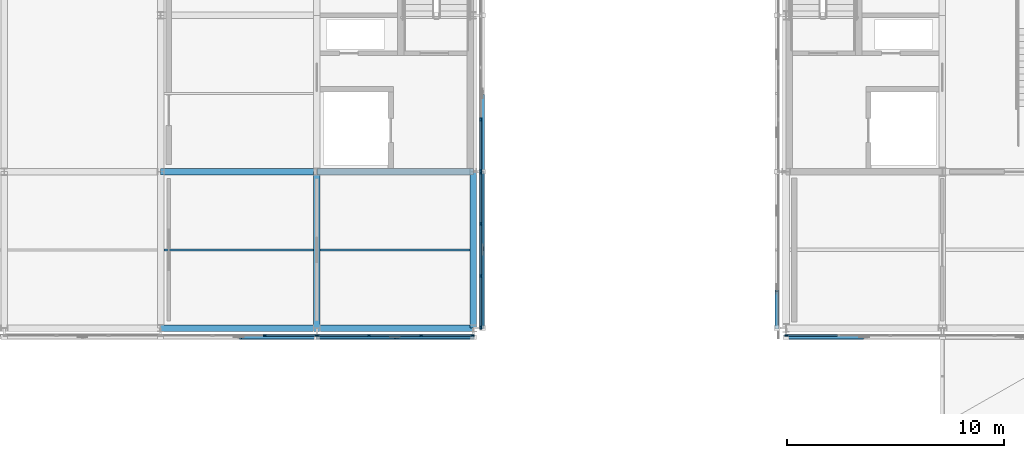
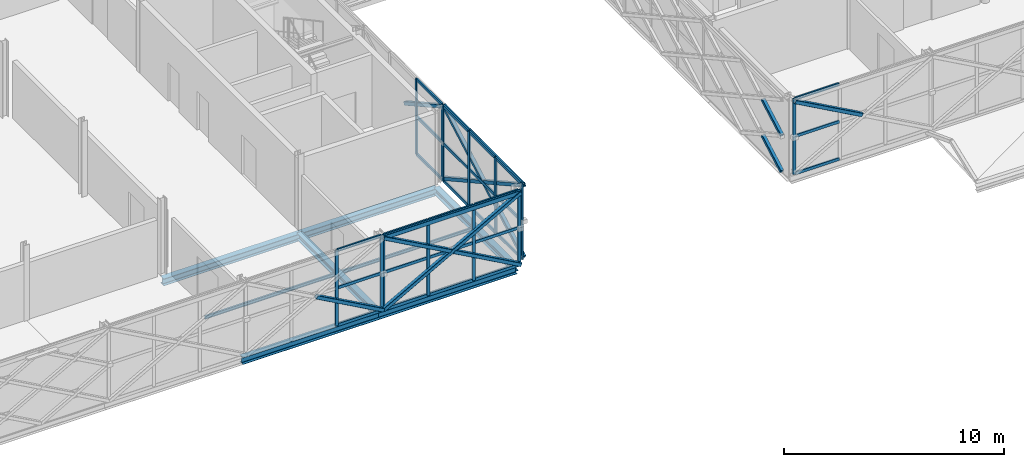
# One storey, part 28 of 146: 53 members, 8 beams, 5 elements without a shape of their own.
"""IFC4 building model written with IfcOpenShell, lengths in metres."""

from ifc_helpers import new_model, si_unit, direction, frame, origin, origin_2d, place, context, subcontext, project, spatial, rectangle, hollow_rectangle, i_section, extrude, material, material_profile, profile_set, type_object, element, aggregate, save


model = new_model("IFC4")

# Units and contexts
model_context = context("Model", 3, precision=1e-05, world=origin(), true_north=direction((0.0, 1.0)))
body_context = subcontext(model_context, "Body", "Model", "MODEL_VIEW")
ifc_project = project(units=[si_unit("LENGTHUNIT", "METRE"), si_unit("AREAUNIT", "SQUARE_METRE"), si_unit("VOLUMEUNIT", "CUBIC_METRE"), si_unit("PLANEANGLEUNIT", "RADIAN"), si_unit("MASSUNIT", "GRAM", prefix="KILO")], contexts=[model_context])

# Site, building, storey
site_placement = place(None, origin())
site = spatial("IfcSite", under=ifc_project, at=site_placement, CompositionType="ELEMENT")
building_placement = place(site_placement, origin())
building = spatial("IfcBuilding", under=site, at=building_placement, Name="Zlatovets Crest Museum", CompositionType="ELEMENT")
storey_placement = place(building_placement, frame((0.0, 0.0, 4.5)))
storey = spatial("IfcBuildingStorey", under=building, at=storey_placement, Name="L01", CompositionType="ELEMENT", Elevation=4.5)

# Beams
ifc_material_1 = material(Name="Structural steel S355J2", Category="steel")
ifc_material_profile_1 = material_profile(ifc_material_1, i_section(OverallWidth=0.300048828125, OverallDepth=0.389892578125, WebThickness=0.010986328125, FlangeThickness=0.01904296875, FilletRadius=0.027099609375, at=origin_2d()), Name="HEA 400")
ifc_profile_set_1 = profile_set([ifc_material_profile_1], Name="Structural steel S355J2")
beam_type_1 = type_object("IfcBeamType", Name="Beam_B-02", PredefinedType="BEAM", material=ifc_profile_set_1)
for number, where, z_axis, x_axis, name in (
    (1, (28.800048828125, 0.0, -0.4150390625), (1.0, 0.0, 0.0), (0.0, 1.0, 0.0), "V3 L01 Primary Girder B-02"),
    (2, (36.0, 0.0, -0.4150390625), (1.0, 0.0, 0.0), (0.0, 1.0, 0.0), "V3 L01 Primary Girder B-02"),
    (3, (28.800048828125, 7.199951171875, -0.4150390625), (1.0, 0.0, 0.0), (0.0, 1.0, 0.0), "V3 L01 Primary Girder B-02"),
    (4, (36.0, 7.199951171875, -0.4150390625), (1.0, 0.0, 0.0), (0.0, 1.0, 0.0), "V3 L01 Primary Girder B-02"),
):
    element("IfcBeam", number, at=place(storey_placement, frame(where, z_axis=z_axis, x_axis=x_axis)), inside=storey, type_object=beam_type_1, Name=name, PredefinedType="BEAM", context=body_context, shape_type="SweptSolid", body=[
        extrude(i_section(OverallWidth=0.300048828125, OverallDepth=0.389892578125, WebThickness=0.010986328125, FlangeThickness=0.01904296875, FilletRadius=0.027099609375, at=origin_2d()), origin(), (0.0, 0.0, 1.0), 7.199951171875),
    ])
ifc_material_profile_2 = material_profile(ifc_material_1, i_section(OverallWidth=0.300048828125, OverallDepth=0.35009765625, WebThickness=0.010009765625, FlangeThickness=0.017578125, FilletRadius=0.027099609375, at=origin_2d()), Name="HEA 360")
ifc_profile_set_2 = profile_set([ifc_material_profile_2], Name="Structural steel S355J2")
beam_type_2 = type_object("IfcBeamType", Name="Beam_B-03", PredefinedType="BEAM", material=ifc_profile_set_2)
for number, where, z_axis, x_axis, name in (
    (5, (36.0, 0.0, -0.39501953125), (0.0, 1.0, 0.0), (-1.0, 0.0, 0.0), "V3 L01 Grid Beam B-03"),
    (6, (43.199951171875, 0.0, -0.39501953125), (0.0, 1.0, 0.0), (-1.0, 0.0, 0.0), "V3 L01 Grid Beam B-03"),
):
    element("IfcBeam", number, at=place(storey_placement, frame(where, z_axis=z_axis, x_axis=x_axis)), inside=storey, type_object=beam_type_2, Name=name, PredefinedType="BEAM", context=body_context, shape_type="SweptSolid", body=[
        extrude(i_section(OverallWidth=0.300048828125, OverallDepth=0.35009765625, WebThickness=0.010009765625, FlangeThickness=0.017578125, FilletRadius=0.027099609375, at=origin_2d()), origin(), (0.0, 0.0, 1.0), 7.199951171875),
    ])
ifc_material_profile_3 = material_profile(ifc_material_1, i_section(OverallWidth=0.091064453125, OverallDepth=0.179931640625, WebThickness=0.00537109375, FlangeThickness=0.008056640625, FilletRadius=0.009033203125, at=origin_2d()), Name="IPE 180")
ifc_profile_set_3 = profile_set([ifc_material_profile_3], Name="Structural steel S355J2")
beam_type_3 = type_object("IfcBeamType", Name="Beam_J-11", PredefinedType="JOIST", material=ifc_profile_set_3)
for number, where, z_axis, x_axis, name in (
    (7, (28.949951171875, 3.60009765625, -0.31005859375), (1.0, 0.0, 0.0), (0.0, 1.0, 0.0), "V3 L01 Composite Joist J-11"),
    (8, (36.14990234375, 3.60009765625, -0.31005859375), (1.0, 0.0, 0.0), (0.0, 1.0, 0.0), "V3 L01 Composite Joist J-11"),
):
    element("IfcBeam", number, at=place(storey_placement, frame(where, z_axis=z_axis, x_axis=x_axis)), inside=storey, type_object=beam_type_3, Name=name, PredefinedType="JOIST", context=body_context, shape_type="SweptSolid", body=[
        extrude(i_section(OverallWidth=0.091064453125, OverallDepth=0.179931640625, WebThickness=0.00537109375, FlangeThickness=0.008056640625, FilletRadius=0.009033203125, at=origin_2d()), origin(), (0.0, 0.0, 1.0), 6.900146484375),
    ])

# Curtain wall, member
ifc_material_2 = material(Name="Bronze-anodised aluminium and low-E triple glass", Category="aluminium")
curtain_wall_type_1 = type_object("IfcCurtainWallType", Name="CW_CW-V2-L01-M0", PredefinedType="NOTDEFINED", material=ifc_material_2)
curtain_wall_1_placement = place(storey_placement, origin())
curtain_wall_1 = element("IfcCurtainWall", 9, at=curtain_wall_1_placement, inside=storey, type_object=curtain_wall_type_1, Name="V2 L01 Secession Foyer Clear Curtain Wall", PredefinedType="NOTDEFINED")
ifc_material_3 = material(Name="Bronze-anodised aluminium EN AW-6060", Category="aluminium")
ifc_material_profile_4 = material_profile(ifc_material_3, rectangle(XDim=0.080078125, YDim=0.159912109375, at=origin_2d()), Name="ALU 80x160")
ifc_profile_set_4 = profile_set([ifc_material_profile_4], Name="Bronze-anodised aluminium EN AW-6060")
member_type_1 = type_object("IfcMemberType", Name="CWMull_M1", PredefinedType="MULLION", material=ifc_profile_set_4)
member_1_placement = place(storey_placement, frame((57.6298828125, -0.340087890625, 0.0), z_axis=(0.0, 0.0, 1.0), x_axis=(0.0, 1.0, 0.0)))
member_1 = element("IfcMember", 10, at=member_1_placement, type_object=member_type_1, Name="CW-V2-L01-M0 mullion 1", PredefinedType="MULLION", context=body_context, shape_type="SweptSolid", body=[
    extrude(rectangle(XDim=0.080078125, YDim=0.159912109375, at=origin_2d()), origin(), (0.0, 0.0, 1.0), 4.199951171875),
])

# Curtain wall, members
curtain_wall_type_2 = type_object("IfcCurtainWallType", Name="CW_CW-V3-L01-M0", PredefinedType="NOTDEFINED", material=ifc_material_2)
curtain_wall_2_placement = place(storey_placement, origin())
curtain_wall_2 = element("IfcCurtainWall", 11, at=curtain_wall_2_placement, inside=storey, type_object=curtain_wall_type_2, Name="V3 L01 Secession Foyer Clear Curtain Wall", PredefinedType="NOTDEFINED")
member_2_placement = place(storey_placement, frame((33.60009765625, -0.340087890625, 0.0), z_axis=(0.0, 0.0, 1.0), x_axis=(0.0, 1.0, 0.0)))
member_2 = element("IfcMember", 12, at=member_2_placement, type_object=member_type_1, Name="CW-V3-L01-M0 mullion 3", PredefinedType="MULLION", context=body_context, shape_type="SweptSolid", body=[
    extrude(rectangle(XDim=0.080078125, YDim=0.159912109375, at=origin_2d()), origin(), (0.0, 0.0, 1.0), 4.199951171875),
])
member_3_placement = place(storey_placement, frame((35.969970703125, -0.340087890625, 0.0), z_axis=(0.0, 0.0, 1.0), x_axis=(0.0, 1.0, 0.0)))
member_3 = element("IfcMember", 13, at=member_3_placement, type_object=member_type_1, Name="CW-V3-L01-M0 mullion 4", PredefinedType="MULLION", context=body_context, shape_type="SweptSolid", body=[
    extrude(rectangle(XDim=0.080078125, YDim=0.159912109375, at=origin_2d()), origin(), (0.0, 0.0, 1.0), 4.199951171875),
])

curtain_wall_type_3 = type_object("IfcCurtainWallType", Name="CW_CW-V3-L01-M1", PredefinedType="NOTDEFINED", material=ifc_material_2)
curtain_wall_3_placement = place(storey_placement, origin())
curtain_wall_3 = element("IfcCurtainWall", 14, at=curtain_wall_3_placement, inside=storey, type_object=curtain_wall_type_3, Name="V3 L01 Secession Foyer Clear Curtain Wall", PredefinedType="NOTDEFINED")
member_4_placement = place(storey_placement, frame((36.030029296875, -0.340087890625, 0.0), z_axis=(0.0, 0.0, 1.0), x_axis=(0.0, 1.0, 0.0)))
member_4 = element("IfcMember", 15, at=member_4_placement, type_object=member_type_1, Name="CW-V3-L01-M1 mullion 1", PredefinedType="MULLION", context=body_context, shape_type="SweptSolid", body=[
    extrude(rectangle(XDim=0.080078125, YDim=0.159912109375, at=origin_2d()), origin(), (0.0, 0.0, 1.0), 4.199951171875),
])
member_5_placement = place(storey_placement, frame((38.39990234375, -0.340087890625, 0.0), z_axis=(0.0, 0.0, 1.0), x_axis=(0.0, 1.0, 0.0)))
member_5 = element("IfcMember", 16, at=member_5_placement, type_object=member_type_1, Name="CW-V3-L01-M1 mullion 2", PredefinedType="MULLION", context=body_context, shape_type="SweptSolid", body=[
    extrude(rectangle(XDim=0.080078125, YDim=0.159912109375, at=origin_2d()), origin(), (0.0, 0.0, 1.0), 4.199951171875),
])
member_6_placement = place(storey_placement, frame((40.800048828125, -0.340087890625, 0.0), z_axis=(0.0, 0.0, 1.0), x_axis=(0.0, 1.0, 0.0)))
member_6 = element("IfcMember", 17, at=member_6_placement, type_object=member_type_1, Name="CW-V3-L01-M1 mullion 3", PredefinedType="MULLION", context=body_context, shape_type="SweptSolid", body=[
    extrude(rectangle(XDim=0.080078125, YDim=0.159912109375, at=origin_2d()), origin(), (0.0, 0.0, 1.0), 4.199951171875),
])
member_7_placement = place(storey_placement, frame((43.169921875, -0.340087890625, 0.0), z_axis=(0.0, 0.0, 1.0), x_axis=(0.0, 1.0, 0.0)))
member_7 = element("IfcMember", 18, at=member_7_placement, type_object=member_type_1, Name="CW-V3-L01-M1 mullion 4", PredefinedType="MULLION", context=body_context, shape_type="SweptSolid", body=[
    extrude(rectangle(XDim=0.080078125, YDim=0.159912109375, at=origin_2d()), origin(), (0.0, 0.0, 1.0), 4.199951171875),
])

curtain_wall_type_4 = type_object("IfcCurtainWallType", Name="CW_CW-V3-L01-M2", PredefinedType="NOTDEFINED", material=ifc_material_2)
curtain_wall_4_placement = place(storey_placement, origin())
curtain_wall_4 = element("IfcCurtainWall", 19, at=curtain_wall_4_placement, inside=storey, type_object=curtain_wall_type_4, Name="V3 L01 Secession Foyer Clear Curtain Wall", PredefinedType="NOTDEFINED")
member_8_placement = place(storey_placement, frame((43.5400390625, 0.030029296875, 0.0), z_axis=(0.0, 0.0, 1.0), x_axis=(-1.0, 0.0, 0.0)))
member_8 = element("IfcMember", 20, at=member_8_placement, type_object=member_type_1, Name="CW-V3-L01-M2 mullion 1", PredefinedType="MULLION", context=body_context, shape_type="SweptSolid", body=[
    extrude(rectangle(XDim=0.080078125, YDim=0.159912109375, at=origin_2d()), origin(), (0.0, 0.0, 1.0), 4.199951171875),
])
member_9_placement = place(storey_placement, frame((43.5400390625, 2.39990234375, 0.0), z_axis=(0.0, 0.0, 1.0), x_axis=(-1.0, 0.0, 0.0)))
member_9 = element("IfcMember", 21, at=member_9_placement, type_object=member_type_1, Name="CW-V3-L01-M2 mullion 2", PredefinedType="MULLION", context=body_context, shape_type="SweptSolid", body=[
    extrude(rectangle(XDim=0.080078125, YDim=0.159912109375, at=origin_2d()), origin(), (0.0, 0.0, 1.0), 4.199951171875),
])
member_10_placement = place(storey_placement, frame((43.5400390625, 4.800048828125, 0.0), z_axis=(0.0, 0.0, 1.0), x_axis=(-1.0, 0.0, 0.0)))
member_10 = element("IfcMember", 22, at=member_10_placement, type_object=member_type_1, Name="CW-V3-L01-M2 mullion 3", PredefinedType="MULLION", context=body_context, shape_type="SweptSolid", body=[
    extrude(rectangle(XDim=0.080078125, YDim=0.159912109375, at=origin_2d()), origin(), (0.0, 0.0, 1.0), 4.199951171875),
])
member_11_placement = place(storey_placement, frame((43.5400390625, 7.169921875, 0.0), z_axis=(0.0, 0.0, 1.0), x_axis=(-1.0, 0.0, 0.0)))
member_11 = element("IfcMember", 23, at=member_11_placement, type_object=member_type_1, Name="CW-V3-L01-M2 mullion 4", PredefinedType="MULLION", context=body_context, shape_type="SweptSolid", body=[
    extrude(rectangle(XDim=0.080078125, YDim=0.159912109375, at=origin_2d()), origin(), (0.0, 0.0, 1.0), 4.199951171875),
])

curtain_wall_type_5 = type_object("IfcCurtainWallType", Name="CW_CW-V3-L01-M3", PredefinedType="NOTDEFINED", material=ifc_material_2)
curtain_wall_5_placement = place(storey_placement, origin())
curtain_wall_5 = element("IfcCurtainWall", 24, at=curtain_wall_5_placement, inside=storey, type_object=curtain_wall_type_5, Name="V3 L01 Expressed Core Glazed Facade", PredefinedType="NOTDEFINED")
member_12_placement = place(storey_placement, frame((43.5400390625, 7.22998046875, 0.0), z_axis=(0.0, 0.0, 1.0), x_axis=(-1.0, 0.0, 0.0)))
member_12 = element("IfcMember", 25, at=member_12_placement, type_object=member_type_1, Name="CW-V3-L01-M3 mullion 1", PredefinedType="MULLION", context=body_context, shape_type="SweptSolid", body=[
    extrude(rectangle(XDim=0.080078125, YDim=0.159912109375, at=origin_2d()), origin(), (0.0, 0.0, 1.0), 4.199951171875),
])
member_13_placement = place(storey_placement, frame((43.5400390625, 9.60009765625, 0.0), z_axis=(0.0, 0.0, 1.0), x_axis=(-1.0, 0.0, 0.0)))
member_13 = element("IfcMember", 26, at=member_13_placement, type_object=member_type_1, Name="CW-V3-L01-M3 mullion 2", PredefinedType="MULLION", context=body_context, shape_type="SweptSolid", body=[
    extrude(rectangle(XDim=0.080078125, YDim=0.159912109375, at=origin_2d()), origin(), (0.0, 0.0, 1.0), 4.199951171875),
])

# Member
ifc_material_profile_5 = material_profile(ifc_material_3, rectangle(XDim=0.080078125, YDim=0.159912109375, at=origin_2d()), Name="ALU 80x160")
ifc_profile_set_5 = profile_set([ifc_material_profile_5], Name="Bronze-anodised aluminium EN AW-6060")
member_type_2 = type_object("IfcMemberType", Name="CWTrans_T1", PredefinedType="USERDEFINED", material=ifc_profile_set_5)
member_14_placement = place(storey_placement, frame((57.659912109375, -0.340087890625, 0.030029296875), z_axis=(1.0, 0.0, 0.0), x_axis=(0.0, 1.0, 0.0)))
member_14 = element("IfcMember", 27, at=member_14_placement, type_object=member_type_2, Name="CW-V2-L01-M0 transom 1.1", ObjectType="TRANSOM", PredefinedType="USERDEFINED", context=body_context, shape_type="SweptSolid", body=[
    extrude(rectangle(XDim=0.080078125, YDim=0.159912109375, at=origin_2d()), origin(), (0.0, 0.0, 1.0), 2.31005859375),
])

member_15_placement = place(storey_placement, frame((57.659912109375, -0.340087890625, 2.10009765625), z_axis=(1.0, 0.0, 0.0), x_axis=(0.0, 1.0, 0.0)))
member_15 = element("IfcMember", 28, at=member_15_placement, type_object=member_type_2, Name="CW-V2-L01-M0 transom 1.2", ObjectType="TRANSOM", PredefinedType="USERDEFINED", context=body_context, shape_type="SweptSolid", body=[
    extrude(rectangle(XDim=0.080078125, YDim=0.159912109375, at=origin_2d()), origin(), (0.0, 0.0, 1.0), 2.31005859375),
])

member_16_placement = place(storey_placement, frame((57.659912109375, -0.340087890625, 4.169921875), z_axis=(1.0, 0.0, 0.0), x_axis=(0.0, 1.0, 0.0)))
member_16 = element("IfcMember", 29, at=member_16_placement, type_object=member_type_2, Name="CW-V2-L01-M0 transom 1.3", ObjectType="TRANSOM", PredefinedType="USERDEFINED", context=body_context, shape_type="SweptSolid", body=[
    extrude(rectangle(XDim=0.080078125, YDim=0.159912109375, at=origin_2d()), origin(), (0.0, 0.0, 1.0), 2.31005859375),
])

aggregate(curtain_wall_1, [member_1, member_14, member_15, member_16])

member_17_placement = place(storey_placement, frame((33.6298828125, -0.340087890625, 0.030029296875), z_axis=(1.0, 0.0, 0.0), x_axis=(0.0, 1.0, 0.0)))
member_17 = element("IfcMember", 30, at=member_17_placement, type_object=member_type_2, Name="CW-V3-L01-M0 transom 3.1", ObjectType="TRANSOM", PredefinedType="USERDEFINED", context=body_context, shape_type="SweptSolid", body=[
    extrude(rectangle(XDim=0.080078125, YDim=0.159912109375, at=origin_2d()), origin(), (0.0, 0.0, 1.0), 2.31005859375),
])

member_18_placement = place(storey_placement, frame((33.6298828125, -0.340087890625, 2.10009765625), z_axis=(1.0, 0.0, 0.0), x_axis=(0.0, 1.0, 0.0)))
member_18 = element("IfcMember", 31, at=member_18_placement, type_object=member_type_2, Name="CW-V3-L01-M0 transom 3.2", ObjectType="TRANSOM", PredefinedType="USERDEFINED", context=body_context, shape_type="SweptSolid", body=[
    extrude(rectangle(XDim=0.080078125, YDim=0.159912109375, at=origin_2d()), origin(), (0.0, 0.0, 1.0), 2.31005859375),
])

member_19_placement = place(storey_placement, frame((33.6298828125, -0.340087890625, 4.169921875), z_axis=(1.0, 0.0, 0.0), x_axis=(0.0, 1.0, 0.0)))
member_19 = element("IfcMember", 32, at=member_19_placement, type_object=member_type_2, Name="CW-V3-L01-M0 transom 3.3", ObjectType="TRANSOM", PredefinedType="USERDEFINED", context=body_context, shape_type="SweptSolid", body=[
    extrude(rectangle(XDim=0.080078125, YDim=0.159912109375, at=origin_2d()), origin(), (0.0, 0.0, 1.0), 2.31005859375),
])

aggregate(curtain_wall_2, [member_2, member_3, member_17, member_18, member_19])

member_20_placement = place(storey_placement, frame((36.06005859375, -0.340087890625, 0.030029296875), z_axis=(1.0, 0.0, 0.0), x_axis=(0.0, 1.0, 0.0)))
member_20 = element("IfcMember", 33, at=member_20_placement, type_object=member_type_2, Name="CW-V3-L01-M1 transom 1.1", ObjectType="TRANSOM", PredefinedType="USERDEFINED", context=body_context, shape_type="SweptSolid", body=[
    extrude(rectangle(XDim=0.080078125, YDim=0.159912109375, at=origin_2d()), origin(), (0.0, 0.0, 1.0), 2.31005859375),
])

member_21_placement = place(storey_placement, frame((36.06005859375, -0.340087890625, 2.10009765625), z_axis=(1.0, 0.0, 0.0), x_axis=(0.0, 1.0, 0.0)))
member_21 = element("IfcMember", 34, at=member_21_placement, type_object=member_type_2, Name="CW-V3-L01-M1 transom 1.2", ObjectType="TRANSOM", PredefinedType="USERDEFINED", context=body_context, shape_type="SweptSolid", body=[
    extrude(rectangle(XDim=0.080078125, YDim=0.159912109375, at=origin_2d()), origin(), (0.0, 0.0, 1.0), 2.31005859375),
])

member_22_placement = place(storey_placement, frame((36.06005859375, -0.340087890625, 4.169921875), z_axis=(1.0, 0.0, 0.0), x_axis=(0.0, 1.0, 0.0)))
member_22 = element("IfcMember", 35, at=member_22_placement, type_object=member_type_2, Name="CW-V3-L01-M1 transom 1.3", ObjectType="TRANSOM", PredefinedType="USERDEFINED", context=body_context, shape_type="SweptSolid", body=[
    extrude(rectangle(XDim=0.080078125, YDim=0.159912109375, at=origin_2d()), origin(), (0.0, 0.0, 1.0), 2.31005859375),
])

member_23_placement = place(storey_placement, frame((38.429931640625, -0.340087890625, 0.030029296875), z_axis=(1.0, 0.0, 0.0), x_axis=(0.0, 1.0, 0.0)))
member_23 = element("IfcMember", 36, at=member_23_placement, type_object=member_type_2, Name="CW-V3-L01-M1 transom 2.1", ObjectType="TRANSOM", PredefinedType="USERDEFINED", context=body_context, shape_type="SweptSolid", body=[
    extrude(rectangle(XDim=0.080078125, YDim=0.159912109375, at=origin_2d()), origin(), (0.0, 0.0, 1.0), 2.340087890625),
])

member_24_placement = place(storey_placement, frame((38.429931640625, -0.340087890625, 2.10009765625), z_axis=(1.0, 0.0, 0.0), x_axis=(0.0, 1.0, 0.0)))
member_24 = element("IfcMember", 37, at=member_24_placement, type_object=member_type_2, Name="CW-V3-L01-M1 transom 2.2", ObjectType="TRANSOM", PredefinedType="USERDEFINED", context=body_context, shape_type="SweptSolid", body=[
    extrude(rectangle(XDim=0.080078125, YDim=0.159912109375, at=origin_2d()), origin(), (0.0, 0.0, 1.0), 2.340087890625),
])

member_25_placement = place(storey_placement, frame((38.429931640625, -0.340087890625, 4.169921875), z_axis=(1.0, 0.0, 0.0), x_axis=(0.0, 1.0, 0.0)))
member_25 = element("IfcMember", 38, at=member_25_placement, type_object=member_type_2, Name="CW-V3-L01-M1 transom 2.3", ObjectType="TRANSOM", PredefinedType="USERDEFINED", context=body_context, shape_type="SweptSolid", body=[
    extrude(rectangle(XDim=0.080078125, YDim=0.159912109375, at=origin_2d()), origin(), (0.0, 0.0, 1.0), 2.340087890625),
])

member_26_placement = place(storey_placement, frame((40.830078125, -0.340087890625, 0.030029296875), z_axis=(1.0, 0.0, 0.0), x_axis=(0.0, 1.0, 0.0)))
member_26 = element("IfcMember", 39, at=member_26_placement, type_object=member_type_2, Name="CW-V3-L01-M1 transom 3.1", ObjectType="TRANSOM", PredefinedType="USERDEFINED", context=body_context, shape_type="SweptSolid", body=[
    extrude(rectangle(XDim=0.080078125, YDim=0.159912109375, at=origin_2d()), origin(), (0.0, 0.0, 1.0), 2.309814453125),
])

member_27_placement = place(storey_placement, frame((40.830078125, -0.340087890625, 2.10009765625), z_axis=(1.0, 0.0, 0.0), x_axis=(0.0, 1.0, 0.0)))
member_27 = element("IfcMember", 40, at=member_27_placement, type_object=member_type_2, Name="CW-V3-L01-M1 transom 3.2", ObjectType="TRANSOM", PredefinedType="USERDEFINED", context=body_context, shape_type="SweptSolid", body=[
    extrude(rectangle(XDim=0.080078125, YDim=0.159912109375, at=origin_2d()), origin(), (0.0, 0.0, 1.0), 2.309814453125),
])

member_28_placement = place(storey_placement, frame((40.830078125, -0.340087890625, 4.169921875), z_axis=(1.0, 0.0, 0.0), x_axis=(0.0, 1.0, 0.0)))
member_28 = element("IfcMember", 41, at=member_28_placement, type_object=member_type_2, Name="CW-V3-L01-M1 transom 3.3", ObjectType="TRANSOM", PredefinedType="USERDEFINED", context=body_context, shape_type="SweptSolid", body=[
    extrude(rectangle(XDim=0.080078125, YDim=0.159912109375, at=origin_2d()), origin(), (0.0, 0.0, 1.0), 2.309814453125),
])

aggregate(curtain_wall_3, [member_4, member_5, member_6, member_7, member_20, member_21, member_22, member_23, member_24, member_25, member_26, member_27, member_28])

member_29_placement = place(storey_placement, frame((43.5400390625, 0.06005859375, 0.030029296875), z_axis=(0.0, 1.0, 0.0), x_axis=(-1.0, 0.0, 0.0)))
member_29 = element("IfcMember", 42, at=member_29_placement, type_object=member_type_2, Name="CW-V3-L01-M2 transom 1.1", ObjectType="TRANSOM", PredefinedType="USERDEFINED", context=body_context, shape_type="SweptSolid", body=[
    extrude(rectangle(XDim=0.080078125, YDim=0.159912109375, at=origin_2d()), origin(), (0.0, 0.0, 1.0), 2.31005859375),
])

member_30_placement = place(storey_placement, frame((43.5400390625, 0.06005859375, 2.10009765625), z_axis=(0.0, 1.0, 0.0), x_axis=(-1.0, 0.0, 0.0)))
member_30 = element("IfcMember", 43, at=member_30_placement, type_object=member_type_2, Name="CW-V3-L01-M2 transom 1.2", ObjectType="TRANSOM", PredefinedType="USERDEFINED", context=body_context, shape_type="SweptSolid", body=[
    extrude(rectangle(XDim=0.080078125, YDim=0.159912109375, at=origin_2d()), origin(), (0.0, 0.0, 1.0), 2.31005859375),
])

member_31_placement = place(storey_placement, frame((43.5400390625, 0.06005859375, 4.169921875), z_axis=(0.0, 1.0, 0.0), x_axis=(-1.0, 0.0, 0.0)))
member_31 = element("IfcMember", 44, at=member_31_placement, type_object=member_type_2, Name="CW-V3-L01-M2 transom 1.3", ObjectType="TRANSOM", PredefinedType="USERDEFINED", context=body_context, shape_type="SweptSolid", body=[
    extrude(rectangle(XDim=0.080078125, YDim=0.159912109375, at=origin_2d()), origin(), (0.0, 0.0, 1.0), 2.31005859375),
])

member_32_placement = place(storey_placement, frame((43.5400390625, 2.429931640625, 0.030029296875), z_axis=(0.0, 1.0, 0.0), x_axis=(-1.0, 0.0, 0.0)))
member_32 = element("IfcMember", 45, at=member_32_placement, type_object=member_type_2, Name="CW-V3-L01-M2 transom 2.1", ObjectType="TRANSOM", PredefinedType="USERDEFINED", context=body_context, shape_type="SweptSolid", body=[
    extrude(rectangle(XDim=0.080078125, YDim=0.159912109375, at=origin_2d()), origin(), (0.0, 0.0, 1.0), 2.340087890625),
])

member_33_placement = place(storey_placement, frame((43.5400390625, 2.429931640625, 2.10009765625), z_axis=(0.0, 1.0, 0.0), x_axis=(-1.0, 0.0, 0.0)))
member_33 = element("IfcMember", 46, at=member_33_placement, type_object=member_type_2, Name="CW-V3-L01-M2 transom 2.2", ObjectType="TRANSOM", PredefinedType="USERDEFINED", context=body_context, shape_type="SweptSolid", body=[
    extrude(rectangle(XDim=0.080078125, YDim=0.159912109375, at=origin_2d()), origin(), (0.0, 0.0, 1.0), 2.340087890625),
])

member_34_placement = place(storey_placement, frame((43.5400390625, 2.429931640625, 4.169921875), z_axis=(0.0, 1.0, 0.0), x_axis=(-1.0, 0.0, 0.0)))
member_34 = element("IfcMember", 47, at=member_34_placement, type_object=member_type_2, Name="CW-V3-L01-M2 transom 2.3", ObjectType="TRANSOM", PredefinedType="USERDEFINED", context=body_context, shape_type="SweptSolid", body=[
    extrude(rectangle(XDim=0.080078125, YDim=0.159912109375, at=origin_2d()), origin(), (0.0, 0.0, 1.0), 2.340087890625),
])

member_35_placement = place(storey_placement, frame((43.5400390625, 4.830078125, 0.030029296875), z_axis=(0.0, 1.0, 0.0), x_axis=(-1.0, 0.0, 0.0)))
member_35 = element("IfcMember", 48, at=member_35_placement, type_object=member_type_2, Name="CW-V3-L01-M2 transom 3.1", ObjectType="TRANSOM", PredefinedType="USERDEFINED", context=body_context, shape_type="SweptSolid", body=[
    extrude(rectangle(XDim=0.080078125, YDim=0.159912109375, at=origin_2d()), origin(), (0.0, 0.0, 1.0), 2.309814453125),
])

member_36_placement = place(storey_placement, frame((43.5400390625, 4.830078125, 2.10009765625), z_axis=(0.0, 1.0, 0.0), x_axis=(-1.0, 0.0, 0.0)))
member_36 = element("IfcMember", 49, at=member_36_placement, type_object=member_type_2, Name="CW-V3-L01-M2 transom 3.2", ObjectType="TRANSOM", PredefinedType="USERDEFINED", context=body_context, shape_type="SweptSolid", body=[
    extrude(rectangle(XDim=0.080078125, YDim=0.159912109375, at=origin_2d()), origin(), (0.0, 0.0, 1.0), 2.309814453125),
])

member_37_placement = place(storey_placement, frame((43.5400390625, 4.830078125, 4.169921875), z_axis=(0.0, 1.0, 0.0), x_axis=(-1.0, 0.0, 0.0)))
member_37 = element("IfcMember", 50, at=member_37_placement, type_object=member_type_2, Name="CW-V3-L01-M2 transom 3.3", ObjectType="TRANSOM", PredefinedType="USERDEFINED", context=body_context, shape_type="SweptSolid", body=[
    extrude(rectangle(XDim=0.080078125, YDim=0.159912109375, at=origin_2d()), origin(), (0.0, 0.0, 1.0), 2.309814453125),
])

aggregate(curtain_wall_4, [member_8, member_9, member_10, member_11, member_29, member_30, member_31, member_32, member_33, member_34, member_35, member_36, member_37])

member_38_placement = place(storey_placement, frame((43.5400390625, 7.260009765625, 0.030029296875), z_axis=(0.0, 1.0, 0.0), x_axis=(-1.0, 0.0, 0.0)))
member_38 = element("IfcMember", 51, at=member_38_placement, type_object=member_type_2, Name="CW-V3-L01-M3 transom 1.1", ObjectType="TRANSOM", PredefinedType="USERDEFINED", context=body_context, shape_type="SweptSolid", body=[
    extrude(rectangle(XDim=0.080078125, YDim=0.159912109375, at=origin_2d()), origin(), (0.0, 0.0, 1.0), 2.31005859375),
])

member_39_placement = place(storey_placement, frame((43.5400390625, 7.260009765625, 2.10009765625), z_axis=(0.0, 1.0, 0.0), x_axis=(-1.0, 0.0, 0.0)))
member_39 = element("IfcMember", 52, at=member_39_placement, type_object=member_type_2, Name="CW-V3-L01-M3 transom 1.2", ObjectType="TRANSOM", PredefinedType="USERDEFINED", context=body_context, shape_type="SweptSolid", body=[
    extrude(rectangle(XDim=0.080078125, YDim=0.159912109375, at=origin_2d()), origin(), (0.0, 0.0, 1.0), 2.31005859375),
])

member_40_placement = place(storey_placement, frame((43.5400390625, 7.260009765625, 4.169921875), z_axis=(0.0, 1.0, 0.0), x_axis=(-1.0, 0.0, 0.0)))
member_40 = element("IfcMember", 53, at=member_40_placement, type_object=member_type_2, Name="CW-V3-L01-M3 transom 1.3", ObjectType="TRANSOM", PredefinedType="USERDEFINED", context=body_context, shape_type="SweptSolid", body=[
    extrude(rectangle(XDim=0.080078125, YDim=0.159912109375, at=origin_2d()), origin(), (0.0, 0.0, 1.0), 2.31005859375),
])

aggregate(curtain_wall_5, [member_12, member_13, member_38, member_39, member_40])

# Members
ifc_material_4 = material(Name="Weathering bronze-steel S355J2W", Category="steel")
ifc_material_profile_6 = material_profile(ifc_material_4, hollow_rectangle(XDim=0.179931640625, YDim=0.179931640625, WallThickness=0.010009765625, InnerFilletRadius=0.010009765625, OuterFilletRadius=0.02001953125, at=origin_2d()), Name="SHS 180x180x10.0")
ifc_profile_set_6 = profile_set([ifc_material_profile_6], Name="Weathering bronze-steel S355J2W")
member_type_3 = type_object("IfcMemberType", Name="Lattice_XL-01", PredefinedType="BRACE", material=ifc_profile_set_6)
for number, where, z_axis, x_axis, name in (
    (54, (57.179931640625, 1.717041015625, 1.053955078125), (0.0, -0.874169001841, -0.485621824284), (1.0, 0.0, 0.0), "Split Crossing Bronze Lattice Diagonal Lower"),
    (55, (57.179931640625, 1.717041015625, 3.053955078125), (0.0, -0.874169001841, -0.485621824284), (1.0, 0.0, 0.0), "Split Crossing Bronze Lattice Diagonal Lower"),
):
    element("IfcMember", number, at=place(storey_placement, frame(where, z_axis=z_axis, x_axis=x_axis)), inside=storey, type_object=member_type_3, Name=name, PredefinedType="BRACE", context=body_context, shape_type="SweptSolid", body=[
        extrude(hollow_rectangle(XDim=0.179931640625, YDim=0.179931640625, WallThickness=0.010009765625, InnerFilletRadius=0.010009765625, OuterFilletRadius=0.02001953125, at=origin_2d()), origin(), (0.0, 0.0, 1.0), 1.964111328125),
    ])
ifc_material_profile_7 = material_profile(ifc_material_4, hollow_rectangle(XDim=0.199951171875, YDim=0.199951171875, WallThickness=0.012451171875, InnerFilletRadius=0.012451171875, OuterFilletRadius=0.02490234375, at=origin_2d()), Name="SHS 200x200x12.5")
ifc_profile_set_7 = profile_set([ifc_material_profile_7], Name="Weathering bronze-steel S355J2W")
member_type_4 = type_object("IfcMemberType", Name="Lattice_XL-02", PredefinedType="BRACE", material=ifc_profile_set_7)
member_41_placement = place(storey_placement, frame((57.60009765625, -0.419921875, 4.10009765625), z_axis=(0.874125788284, 0.0, -0.485699604958), x_axis=(0.0, 1.0, 0.0)))
element("IfcMember", 56, at=member_41_placement, inside=storey, type_object=member_type_4, Name="Split Crossing Bronze Lattice Diagonal Upper", PredefinedType="BRACE", context=body_context, shape_type="SweptSolid", body=[
    extrude(hollow_rectangle(XDim=0.199951171875, YDim=0.199951171875, WallThickness=0.012451171875, InnerFilletRadius=0.012451171875, OuterFilletRadius=0.02490234375, at=origin_2d()), origin(), (0.0, 0.0, 1.0), 4.023193359375),
])
member_42_placement = place(storey_placement, frame((32.48291015625, -0.419921875, 2.053955078125), z_axis=(0.874165862873, 0.0, -0.485627474703), x_axis=(0.0, 1.0, 0.0)))
element("IfcMember", 57, at=member_42_placement, inside=storey, type_object=member_type_4, Name="Split Crossing Bronze Lattice Diagonal Lower", PredefinedType="BRACE", context=body_context, shape_type="SweptSolid", body=[
    extrude(hollow_rectangle(XDim=0.199951171875, YDim=0.199951171875, WallThickness=0.012451171875, InnerFilletRadius=0.012451171875, OuterFilletRadius=0.02490234375, at=origin_2d()), origin(), (0.0, 0.0, 1.0), 4.0234375),
])
member_43_placement = place(storey_placement, frame((36.0, -0.419921875, 0.10009765625), z_axis=(0.874155877937, 0.0, 0.485645447903), x_axis=(0.0, 1.0, 0.0)))
element("IfcMember", 58, at=member_43_placement, inside=storey, type_object=member_type_4, Name="Continuous Bronze Lattice Diagonal", PredefinedType="BRACE", context=body_context, shape_type="SweptSolid", body=[
    extrude(hollow_rectangle(XDim=0.199951171875, YDim=0.199951171875, WallThickness=0.012451171875, InnerFilletRadius=0.012451171875, OuterFilletRadius=0.02490234375, at=origin_2d()), origin(), (0.0, 0.0, 1.0), 8.236572265625),
])
member_44_placement = place(storey_placement, frame((36.0, -0.419921875, 4.10009765625), z_axis=(0.874140102304, 0.0, -0.485673842763), x_axis=(0.0, 1.0, 0.0)))
element("IfcMember", 59, at=member_44_placement, inside=storey, type_object=member_type_4, Name="Split Crossing Bronze Lattice Diagonal Upper", PredefinedType="BRACE", context=body_context, shape_type="SweptSolid", body=[
    extrude(hollow_rectangle(XDim=0.199951171875, YDim=0.199951171875, WallThickness=0.012451171875, InnerFilletRadius=0.012451171875, OuterFilletRadius=0.02490234375, at=origin_2d()), origin(), (0.0, 0.0, 1.0), 4.0234375),
])
member_45_placement = place(storey_placement, frame((39.68310546875, -0.419921875, 2.053955078125), z_axis=(0.874151551165, 0.0, -0.485653235958), x_axis=(0.0, 1.0, 0.0)))
element("IfcMember", 60, at=member_45_placement, inside=storey, type_object=member_type_4, Name="Split Crossing Bronze Lattice Diagonal Lower", PredefinedType="BRACE", context=body_context, shape_type="SweptSolid", body=[
    extrude(hollow_rectangle(XDim=0.199951171875, YDim=0.199951171875, WallThickness=0.012451171875, InnerFilletRadius=0.012451171875, OuterFilletRadius=0.02490234375, at=origin_2d()), origin(), (0.0, 0.0, 1.0), 4.023193359375),
])
member_46_placement = place(storey_placement, frame((43.6201171875, 0.0, 0.10009765625), z_axis=(0.0, 0.874155877937, 0.485645447903), x_axis=(-1.0, 0.0, 0.0)))
element("IfcMember", 61, at=member_46_placement, inside=storey, type_object=member_type_4, Name="Continuous Bronze Lattice Diagonal", PredefinedType="BRACE", context=body_context, shape_type="SweptSolid", body=[
    extrude(hollow_rectangle(XDim=0.199951171875, YDim=0.199951171875, WallThickness=0.012451171875, InnerFilletRadius=0.012451171875, OuterFilletRadius=0.02490234375, at=origin_2d()), origin(), (0.0, 0.0, 1.0), 8.236572265625),
])
member_47_placement = place(storey_placement, frame((43.6201171875, 0.0, 4.10009765625), z_axis=(0.0, 0.874140102304, -0.485673842763), x_axis=(-1.0, 0.0, 0.0)))
element("IfcMember", 62, at=member_47_placement, inside=storey, type_object=member_type_4, Name="Split Crossing Bronze Lattice Diagonal Upper", PredefinedType="BRACE", context=body_context, shape_type="SweptSolid", body=[
    extrude(hollow_rectangle(XDim=0.199951171875, YDim=0.199951171875, WallThickness=0.012451171875, InnerFilletRadius=0.012451171875, OuterFilletRadius=0.02490234375, at=origin_2d()), origin(), (0.0, 0.0, 1.0), 4.0234375),
])
member_48_placement = place(storey_placement, frame((43.6201171875, 3.68310546875, 2.053955078125), z_axis=(0.0, 0.874151551165, -0.485653235958), x_axis=(-1.0, 0.0, 0.0)))
element("IfcMember", 63, at=member_48_placement, inside=storey, type_object=member_type_4, Name="Split Crossing Bronze Lattice Diagonal Lower", PredefinedType="BRACE", context=body_context, shape_type="SweptSolid", body=[
    extrude(hollow_rectangle(XDim=0.199951171875, YDim=0.199951171875, WallThickness=0.012451171875, InnerFilletRadius=0.012451171875, OuterFilletRadius=0.02490234375, at=origin_2d()), origin(), (0.0, 0.0, 1.0), 4.023193359375),
])
member_49_placement = place(storey_placement, frame((43.6201171875, 7.199951171875, 4.10009765625), z_axis=(0.0, 0.874140102304, -0.485673842763), x_axis=(-1.0, 0.0, 0.0)))
element("IfcMember", 64, at=member_49_placement, inside=storey, type_object=member_type_4, Name="Split Crossing Bronze Lattice Diagonal Upper", PredefinedType="BRACE", context=body_context, shape_type="SweptSolid", body=[
    extrude(hollow_rectangle(XDim=0.199951171875, YDim=0.199951171875, WallThickness=0.012451171875, InnerFilletRadius=0.012451171875, OuterFilletRadius=0.02490234375, at=origin_2d()), origin(), (0.0, 0.0, 1.0), 4.0234375),
])
ifc_material_profile_8 = material_profile(ifc_material_4, hollow_rectangle(XDim=0.1201171875, YDim=0.239990234375, WallThickness=0.010009765625, InnerFilletRadius=0.010009765625, OuterFilletRadius=0.02001953125, at=origin_2d()), Name="RHS 120x240x10.0")
ifc_profile_set_8 = profile_set([ifc_material_profile_8], Name="Weathering bronze-steel S355J2W")
member_type_5 = type_object("IfcMemberType", Name="Lattice_XL-04", PredefinedType="CHORD", material=ifc_profile_set_8)
for number, where, z_axis, x_axis, name in (
    (65, (36.0, -0.419921875, 4.10009765625), (1.0, 0.0, 0.0), (0.0, 1.0, 0.0), "Art Nouveau Woven Cage Collector Ring Chord"),
    (66, (43.6201171875, 0.0, 4.10009765625), (0.0, 1.0, 0.0), (-1.0, 0.0, 0.0), "Art Nouveau Woven Cage Collector Ring Chord"),
):
    element("IfcMember", number, at=place(storey_placement, frame(where, z_axis=z_axis, x_axis=x_axis)), inside=storey, type_object=member_type_5, Name=name, PredefinedType="CHORD", context=body_context, shape_type="SweptSolid", body=[
        extrude(hollow_rectangle(XDim=0.1201171875, YDim=0.239990234375, WallThickness=0.010009765625, InnerFilletRadius=0.010009765625, OuterFilletRadius=0.02001953125, at=origin_2d()), origin(), (0.0, 0.0, 1.0), 7.199951171875),
    ])

save(model, "model.ifc")
